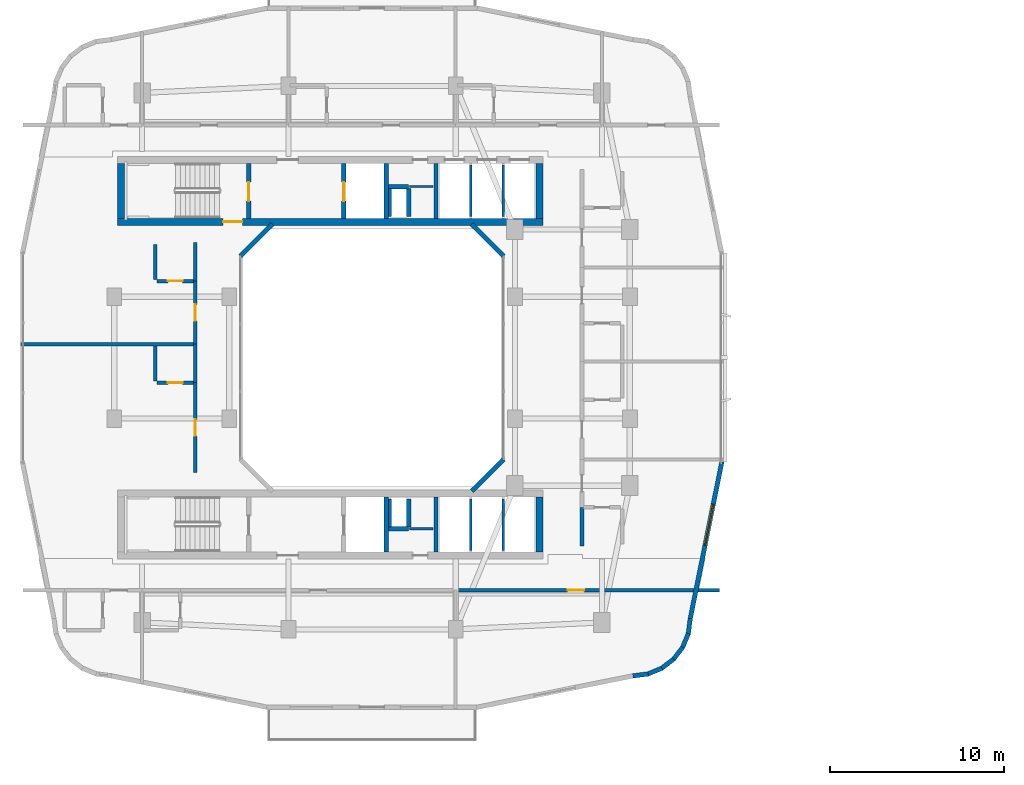
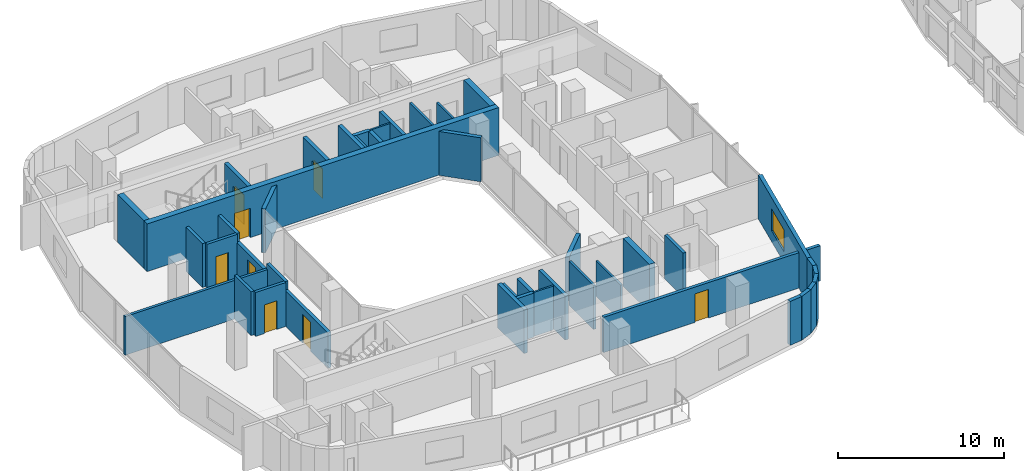
# One storey, part 12 of 26: 43 walls, 8 doors, 1 window, 9 openings.
"""IFC4 building model written with IfcOpenShell, lengths in metres."""

from ifc_helpers import new_model, si_unit, derived_unit, direction, frame, frame_2d, origin, place, context, subcontext, project, spatial, rectangle, extrude, material, layer, layer_set, type_object, element, fill, save


model = new_model("IFC4")

# Units and contexts
model_context = context("Model", 3, precision=1e-05, world=origin(), true_north=direction((0.0, 1.0)))
body_context = subcontext(model_context, "Body", "Model", "MODEL_VIEW")
ifc_project = project(units=[si_unit("LENGTHUNIT", "METRE"), si_unit("AREAUNIT", "SQUARE_METRE"), si_unit("VOLUMEUNIT", "CUBIC_METRE"), si_unit("PLANEANGLEUNIT", "RADIAN"), si_unit("MASSUNIT", "GRAM", prefix="KILO"), derived_unit("THERMALTRANSMITTANCEUNIT", [(si_unit("POWERUNIT", "WATT"), 1), (si_unit("LENGTHUNIT", "METRE"), -2), (si_unit("THERMODYNAMICTEMPERATUREUNIT", "KELVIN"), -1)])], contexts=[model_context])

# Site, building, storey
site_placement = place(None, origin())
site = spatial("IfcSite", under=ifc_project, at=site_placement, CompositionType="ELEMENT")
building_placement = place(site_placement, origin())
building = spatial("IfcBuilding", under=site, at=building_placement, Name="Kivonza Crest Hotel", CompositionType="ELEMENT")
storey_placement = place(building_placement, frame((0.0, 0.0, 95.0)))
storey = spatial("IfcBuildingStorey", under=building, at=storey_placement, Name="L25", CompositionType="ELEMENT", Elevation=95.0)

# Wall
ifc_material_1 = material(Name="High-density acoustic masonry inter-tenancy wall", Category="masonry")
ifc_layer_1 = layer(ifc_material_1, 0.179931640625)
ifc_layer_set_1 = layer_set([ifc_layer_1], Name="High-density acoustic masonry inter-tenancy wall")
wall_type_1 = type_object("IfcWallType", Name="WL-ACOU-180", PredefinedType="SOLIDWALL", material=ifc_layer_set_1)
wall_1_placement = place(storey_placement, frame((0.860107421875, 25.77001953125, 0.0), z_axis=(0.0, 0.0, 1.0), x_axis=(1.0, 0.0, 0.0)))
element("IfcWall", 1, at=wall_1_placement, inside=storey, type_object=wall_type_1, Name="L25 interior partition WA-L25-T1W-DIV1", PredefinedType="SOLIDWALL", context=body_context, shape_type="SweptSolid", body=[
    extrude(rectangle(XDim=9.989990234375, YDim=0.179931640625, at=frame_2d((4.9951171875, 0.0))), origin(), (0.0, 0.0, 1.0), 2.8349609375),
])

# Wall, opening, door
ifc_material_2 = material(Name="Autoclaved aerated concrete blockwork", Category="masonry")
ifc_layer_2 = layer(ifc_material_2, 0.219970703125)
ifc_layer_set_2 = layer_set([ifc_layer_2], Name="Autoclaved aerated concrete blockwork")
wall_type_2 = type_object("IfcWallType", Name="WL-ACOU-220", PredefinedType="SOLIDWALL", material=ifc_layer_set_2)
wall_2_placement = place(storey_placement, frame((25.89990234375, 11.64990234375, 0.0), z_axis=(0.0, 0.0, 1.0), x_axis=(1.0, 0.0, 0.0)))
wall_2 = element("IfcWall", 2, at=wall_2_placement, inside=storey, type_object=wall_type_2, Name="L25 interior partition WA-L25-BUS-MTG-N", PredefinedType="SOLIDWALL", context=body_context, shape_type="SweptSolid", body=[
    extrude(rectangle(XDim=15.0400390625, YDim=0.219970703125, at=frame_2d((7.52001953125, 0.0))), origin(), (0.0, 0.0, 1.0), 2.594970703125),
])
opening_1_placement = place(wall_2_placement, frame((6.330078125, 0.0, 0.0)))
opening_1 = element("IfcOpeningElement", 3, at=opening_1_placement, cuts=wall_2, Name="Opening DF-60S", PredefinedType="OPENING", context=body_context, shape_type="SweptSolid", body=[
    extrude(rectangle(XDim=0.949951171875, YDim=2.10009765625, at=frame_2d((0.47509765625, 1.050048828125))), frame((0.0, 0.1201171875, 0.0), z_axis=(0.0, -1.0, 0.0), x_axis=(1.0, 0.0, 0.0)), (0.0, 0.0, 1.0), 0.239990234375),
])
ifc_material_3 = material(Name="Hardwood timber oak", Category="wood")
door_type_1 = type_object("IfcDoorType", Name="DR-FD60-950", OperationType="NOTDEFINED", PredefinedType="DOOR", material=ifc_material_3)
door_1_placement = place(opening_1_placement, frame((0.949951171875, 0.0, 0.0), z_axis=(0.0, 0.0, 1.0), x_axis=(-1.0, 0.0, 0.0)))
door_1 = element("IfcDoor", 4, at=door_1_placement, inside=storey, type_object=door_type_1, Name="L25 Executive Club Lounge door", OperationType="SINGLE_SWING_RIGHT", OverallHeight=2.10009765625, OverallWidth=0.949951171875, PredefinedType="DOOR", context=body_context, shape_type="SweptSolid", body=[
    extrude(rectangle(XDim=0.949951171875, YDim=2.10009765625, at=frame_2d((0.47509765625, 1.050048828125))), frame((0.0, 0.02490234375, 0.0), z_axis=(0.0, -1.0, 0.0), x_axis=(1.0, 0.0, 0.0)), (0.0, 0.0, 1.0), 0.050048828125),
])
fill(opening_1, door_1)

# Wall
wall_3_placement = place(storey_placement, frame((10.85009765625, 23.570068359375, 0.0), z_axis=(0.0, 0.0, 1.0), x_axis=(0.0, 1.0, 0.0)))
element("IfcWall", 5, at=wall_3_placement, inside=storey, type_object=wall_type_2, Name="L25 interior partition WA-L25-W06-BCORR", PredefinedType="SOLIDWALL", context=body_context, shape_type="SweptSolid", body=[
    extrude(rectangle(XDim=2.199951171875, YDim=0.219970703125, at=frame_2d((1.10009765625, 0.0))), origin(), (0.0, 0.0, 1.0), 3.219970703125),
])

# Wall, opening, door
wall_4_placement = place(storey_placement, frame((10.85009765625, 18.39990234375, 0.0), z_axis=(0.0, 0.0, 1.0), x_axis=(0.0, 1.0, 0.0)))
wall_4 = element("IfcWall", 6, at=wall_4_placement, inside=storey, type_object=wall_type_2, Name="L25 interior partition WA-L25-W06-MCORR", PredefinedType="SOLIDWALL", context=body_context, shape_type="SweptSolid", body=[
    extrude(rectangle(XDim=5.170166015625, YDim=0.219970703125, at=frame_2d((2.5849609375, 0.0))), origin(), (0.0, 0.0, 1.0), 2.594970703125),
])
opening_2_placement = place(wall_4_placement, frame((2.110107421875, 0.0, 0.0)))
opening_2 = element("IfcOpeningElement", 7, at=opening_2_placement, cuts=wall_4, Name="Opening DU-60", PredefinedType="OPENING", context=body_context, shape_type="SweptSolid", body=[
    extrude(rectangle(XDim=0.949951171875, YDim=2.10009765625, at=frame_2d((0.47509765625, 1.050048828125))), frame((0.0, 0.1201171875, 0.0), z_axis=(0.0, -1.0, 0.0), x_axis=(1.0, 0.0, 0.0)), (0.0, 0.0, 1.0), 0.239990234375),
])
door_type_2 = type_object("IfcDoorType", Name="DR-UNIT-950", OperationType="NOTDEFINED", PredefinedType="DOOR", material=ifc_material_3)
door_2_placement = place(opening_2_placement, origin())
door_2 = element("IfcDoor", 8, at=door_2_placement, inside=storey, type_object=door_type_2, Name="L25 W06 guest unit entrance fire door", OperationType="SINGLE_SWING_RIGHT", OverallHeight=2.10009765625, OverallWidth=0.949951171875, PredefinedType="DOOR", context=body_context, shape_type="SweptSolid", body=[
    extrude(rectangle(XDim=0.949951171875, YDim=2.10009765625, at=frame_2d((0.47509765625, 1.050048828125))), frame((0.0, 0.02490234375, 0.0), z_axis=(0.0, -1.0, 0.0), x_axis=(1.0, 0.0, 0.0)), (0.0, 0.0, 1.0), 0.050048828125),
])
fill(opening_2, door_2)

# Wall
wall_5_placement = place(storey_placement, frame((10.85009765625, 29.39990234375, 0.0), z_axis=(0.0, 0.0, 1.0), x_axis=(0.0, 1.0, 0.0)))
element("IfcWall", 9, at=wall_5_placement, inside=storey, type_object=wall_type_2, Name="L25 interior partition WA-L25-W07-BCORR", PredefinedType="SOLIDWALL", context=body_context, shape_type="SweptSolid", body=[
    extrude(rectangle(XDim=2.2001953125, YDim=0.219970703125, at=frame_2d((1.10009765625, 0.0))), origin(), (0.0, 0.0, 1.0), 3.219970703125),
])

# Wall, opening, door
wall_6_placement = place(storey_placement, frame((10.85009765625, 25.77001953125, 0.0), z_axis=(0.0, 0.0, 1.0), x_axis=(0.0, 1.0, 0.0)))
wall_6 = element("IfcWall", 10, at=wall_6_placement, inside=storey, type_object=wall_type_2, Name="L25 interior partition WA-L25-W07-MCORR", PredefinedType="SOLIDWALL", context=body_context, shape_type="SweptSolid", body=[
    extrude(rectangle(XDim=3.6298828125, YDim=0.219970703125, at=frame_2d((1.81494140625, 0.0))), origin(), (0.0, 0.0, 1.0), 2.594970703125),
])
opening_3_placement = place(wall_6_placement, frame((1.340087890625, 0.0, 0.0)))
opening_3 = element("IfcOpeningElement", 11, at=opening_3_placement, cuts=wall_6, Name="Opening DU-60", PredefinedType="OPENING", context=body_context, shape_type="SweptSolid", body=[
    extrude(rectangle(XDim=0.949951171875, YDim=2.10009765625, at=frame_2d((0.47509765625, 1.050048828125))), frame((0.0, 0.1201171875, 0.0), z_axis=(0.0, -1.0, 0.0), x_axis=(1.0, 0.0, 0.0)), (0.0, 0.0, 1.0), 0.239990234375),
])
door_3_placement = place(opening_3_placement, origin())
door_3 = element("IfcDoor", 12, at=door_3_placement, inside=storey, type_object=door_type_2, Name="L25 W07 guest unit entrance fire door", OperationType="SINGLE_SWING_LEFT", OverallHeight=2.10009765625, OverallWidth=0.949951171875, PredefinedType="DOOR", context=body_context, shape_type="SweptSolid", body=[
    extrude(rectangle(XDim=0.949951171875, YDim=2.10009765625, at=frame_2d((0.47509765625, 1.050048828125))), frame((0.0, 0.02490234375, 0.0), z_axis=(0.0, -1.0, 0.0), x_axis=(1.0, 0.0, 0.0)), (0.0, 0.0, 1.0), 0.050048828125),
])
fill(opening_3, door_3)

# Wall
wall_7_placement = place(storey_placement, frame((33.050048828125, 14.199951171875, 0.0), z_axis=(0.0, 0.0, 1.0), x_axis=(0.0, 1.0, 0.0)))
element("IfcWall", 13, at=wall_7_placement, inside=storey, type_object=wall_type_2, Name="L25 interior partition WA-L25-E08-BCORR", PredefinedType="SOLIDWALL", context=body_context, shape_type="SweptSolid", body=[
    extrude(rectangle(XDim=2.199951171875, YDim=0.219970703125, at=frame_2d((1.10009765625, 0.0))), origin(), (0.0, 0.0, 1.0), 3.219970703125),
])

# Wall, opening, door
ifc_material_4 = material(Name="Concrete C50/60", Category="concrete")
ifc_layer_3 = layer(ifc_material_4, 0.39990234375)
ifc_layer_set_3 = layer_set([ifc_layer_3], Name="Concrete C50/60")
wall_type_3 = type_object("IfcWallType", Name="WL-CORE-400", PredefinedType="SHEAR", material=ifc_layer_set_3)
wall_8_placement = place(storey_placement, frame((6.39990234375, 32.800048828125, 0.0), z_axis=(0.0, 0.0, 1.0), x_axis=(1.0, 0.0, 0.0)))
wall_8 = element("IfcWall", 14, at=wall_8_placement, inside=storey, type_object=wall_type_3, Name="Core wall T1-N South L25", PredefinedType="SHEAR", context=body_context, shape_type="SweptSolid", body=[
    extrude(rectangle(XDim=24.400146484375, YDim=0.39990234375, at=frame_2d((12.2001953125, 0.0))), origin(), (0.0, 0.0, 1.0), 3.5),
])
opening_4_placement = place(wall_8_placement, frame((6.050048828125, 0.0, 0.0)))
opening_4 = element("IfcOpeningElement", 15, at=opening_4_placement, cuts=wall_8, Name="Opening DF-120", PredefinedType="OPENING", context=body_context, shape_type="SweptSolid", body=[
    extrude(rectangle(XDim=1.10009765625, YDim=2.14990234375, at=frame_2d((0.550048828125, 1.074951171875))), frame((0.0, 0.2099609375, 0.0), z_axis=(0.0, -1.0, 0.0), x_axis=(1.0, 0.0, 0.0)), (0.0, 0.0, 1.0), 0.419921875),
])
ifc_material_5 = material(Name="Galvanised steel", Category="steel")
door_type_3 = type_object("IfcDoorType", Name="DR-FD120-1100", OperationType="NOTDEFINED", PredefinedType="DOOR", material=ifc_material_5)
door_4_placement = place(opening_4_placement, origin())
door_4 = element("IfcDoor", 16, at=door_4_placement, inside=storey, type_object=door_type_3, Name="L25 West corridor stair access fire door", OperationType="SINGLE_SWING_LEFT", OverallHeight=2.14990234375, OverallWidth=1.10009765625, PredefinedType="DOOR", context=body_context, shape_type="SweptSolid", body=[
    extrude(rectangle(XDim=1.10009765625, YDim=2.14990234375, at=frame_2d((0.550048828125, 1.074951171875))), frame((0.0, 0.02490234375, 0.0), z_axis=(0.0, -1.0, 0.0), x_axis=(1.0, 0.0, 0.0)), (0.0, 0.0, 1.0), 0.050048828125),
])
fill(opening_4, door_4)

# Walls
for number, where, z_axis, x_axis, name in (
    (17, (6.60009765625, 33.0, 0.0), (0.0, 0.0, 1.0), (0.0, 1.0, 0.0), "Core wall T1-N West L25"),
    (18, (30.60009765625, 33.0, 0.0), (0.0, 0.0, 1.0), (0.0, 1.0, 0.0), "Core wall T1-N East L25"),
    (19, (30.60009765625, 13.840087890625, 0.0), (0.0, 0.0, 1.0), (0.0, 1.0, 0.0), "Core wall T1-S East L25"),
):
    element("IfcWall", number, at=place(storey_placement, frame(where, z_axis=z_axis, x_axis=x_axis)), inside=storey, type_object=wall_type_3, Name=name, PredefinedType="SHEAR", context=body_context, shape_type="SweptSolid", body=[
        extrude(rectangle(XDim=3.159912109375, YDim=0.39990234375, at=frame_2d((1.580078125, 0.0))), origin(), (0.0, 0.0, 1.0), 3.5),
    ])
ifc_material_6 = material(Name="Precast concrete C40/50", Category="concrete")
ifc_layer_4 = layer(ifc_material_6, 0.260009765625)
ifc_layer_set_4 = layer_set([ifc_layer_4], Name="Precast concrete C40/50")
wall_type_4 = type_object("IfcWallType", Name="WL-EXT-260", PredefinedType="STANDARD", material=ifc_layer_set_4)
wall_9_placement = place(storey_placement, frame((35.97509765625, 6.72802734375, 0.0), z_axis=(0.0, 0.0, 1.0), x_axis=(0.991388484223, 0.130953706898, 0.0)))
element("IfcWall", 20, at=wall_9_placement, inside=storey, type_object=wall_type_4, Name="L25 T1 exterior insulated wall 10", PredefinedType="STANDARD", context=body_context, shape_type="SweptSolid", body=[
    extrude(rectangle(XDim=0.885498046875, YDim=0.260009765625, at=frame_2d((0.44287109375, 0.0))), origin(), (0.0, 0.0, 1.0), 3.219970703125),
])
wall_10_placement = place(storey_placement, frame((36.806884765625, 6.825927734375, 0.0), z_axis=(0.0, 0.0, 1.0), x_axis=(0.923627776508, 0.383290660547, 0.0)))
element("IfcWall", 21, at=wall_10_placement, inside=storey, type_object=wall_type_4, Name="L25 T1 exterior insulated wall 11", PredefinedType="STANDARD", context=body_context, shape_type="SweptSolid", body=[
    extrude(rectangle(XDim=0.9033203125, YDim=0.260009765625, at=frame_2d((0.45166015625, 0.0))), origin(), (0.0, 0.0, 1.0), 3.219970703125),
])
wall_11_placement = place(storey_placement, frame((37.60107421875, 7.14404296875, 0.0), z_axis=(0.0, 0.0, 1.0), x_axis=(0.793458244748, 0.608624690463, 0.0)))
element("IfcWall", 22, at=wall_11_placement, inside=storey, type_object=wall_type_4, Name="L25 T1 exterior insulated wall 12", PredefinedType="STANDARD", context=body_context, shape_type="SweptSolid", body=[
    extrude(rectangle(XDim=0.902099609375, YDim=0.260009765625, at=frame_2d((0.451171875, 0.0))), origin(), (0.0, 0.0, 1.0), 3.219970703125),
])
wall_12_placement = place(storey_placement, frame((38.285888671875, 7.655029296875, 0.0), z_axis=(0.0, 0.0, 1.0), x_axis=(0.608494022858, 0.793558456666, 0.0)))
element("IfcWall", 23, at=wall_12_placement, inside=storey, type_object=wall_type_4, Name="L25 T1 exterior insulated wall 13", PredefinedType="STANDARD", context=body_context, shape_type="SweptSolid", body=[
    extrude(rectangle(XDim=0.90234375, YDim=0.260009765625, at=frame_2d((0.451171875, 0.0))), origin(), (0.0, 0.0, 1.0), 3.219970703125),
])
wall_13_placement = place(storey_placement, frame((38.81396484375, 8.326904296875, 0.0), z_axis=(0.0, 0.0, 1.0), x_axis=(0.383155708213, 0.923683767999, 0.0)))
element("IfcWall", 24, at=wall_13_placement, inside=storey, type_object=wall_type_4, Name="L25 T1 exterior insulated wall 14", PredefinedType="STANDARD", context=body_context, shape_type="SweptSolid", body=[
    extrude(rectangle(XDim=0.90283203125, YDim=0.260009765625, at=frame_2d((0.451416015625, 0.0))), origin(), (0.0, 0.0, 1.0), 3.219970703125),
])
wall_14_placement = place(storey_placement, frame((39.152099609375, 9.112060546875, 0.0), z_axis=(0.0, 0.0, 1.0), x_axis=(0.130200706103, 0.991487658083, 0.0)))
element("IfcWall", 25, at=wall_14_placement, inside=storey, type_object=wall_type_4, Name="L25 T1 exterior insulated wall 15", PredefinedType="STANDARD", context=body_context, shape_type="SweptSolid", body=[
    extrude(rectangle(XDim=0.920654296875, YDim=0.260009765625, at=frame_2d((0.46044921875, 0.0))), origin(), (0.0, 0.0, 1.0), 3.219970703125),
])

# Wall, opening, window
wall_15_placement = place(storey_placement, frame((39.27099609375, 10.01806640625, 0.0), z_axis=(0.0, 0.0, 1.0), x_axis=(0.197435082048, 0.980315963543, 0.0)))
wall_15 = element("IfcWall", 26, at=wall_15_placement, inside=storey, type_object=wall_type_4, Name="L25 T1 exterior insulated wall 16", PredefinedType="STANDARD", context=body_context, shape_type="SweptSolid", body=[
    extrude(rectangle(XDim=9.1826171875, YDim=0.260009765625, at=frame_2d((4.59130859375, 0.0))), origin(), (0.0, 0.0, 1.0), 3.219970703125),
])
opening_5_placement = place(wall_15_placement, frame((4.285888671875, 0.0, 0.800048828125)))
opening_5 = element("IfcOpeningElement", 27, at=opening_5_placement, cuts=wall_15, Name="Opening WN-05", PredefinedType="OPENING", context=body_context, shape_type="SweptSolid", body=[
    extrude(rectangle(XDim=2.39990234375, YDim=1.60009765625, at=frame_2d((1.199951171875, 0.800048828125))), frame((0.0, 0.14013671875, 0.0), z_axis=(0.0, -1.0, 0.0), x_axis=(1.0, 0.0, 0.0)), (0.0, 0.0, 1.0), 0.280029296875),
])
ifc_material_7 = material(Name="Thermally broken bronze aluminium and low-E double glazing", Category="aluminium")
window_type = type_object("IfcWindowType", Name="WN-240x160", PartitioningType="TRIPLE_PANEL_VERTICAL", PredefinedType="WINDOW", material=ifc_material_7)
window_placement = place(opening_5_placement, origin())
window = element("IfcWindow", 28, at=window_placement, inside=storey, type_object=window_type, Name="L25 T1 facade window 16", OverallHeight=1.60009765625, OverallWidth=2.39990234375, PartitioningType="SINGLE_PANEL", PredefinedType="WINDOW", context=body_context, shape_type="SweptSolid", body=[
    extrude(rectangle(XDim=2.39990234375, YDim=1.60009765625, at=frame_2d((1.199951171875, 0.800048828125))), frame((0.0, 0.030029296875, 0.0), z_axis=(0.0, -1.0, 0.0), x_axis=(1.0, 0.0, 0.0)), (0.0, 0.0, 1.0), 0.06005859375),
])
fill(opening_5, window)

# Walls
for number, where, z_axis, x_axis, name in (
    (29, (26.721923828125, 17.337890625, 0.0), (0.0, 0.0, 1.0), (0.707059717605, 0.707153841636, 0.0), "L25 T1 light-well exterior wall 2"),
    (30, (28.555908203125, 30.827880859375, 0.0), (0.0, 0.0, 1.0), (-0.707059717605, 0.707153841636, 0.0), "L25 T1 light-well exterior wall 4"),
    (31, (15.278076171875, 32.662109375, 0.0), (0.0, 0.0, 1.0), (-0.707059717605, -0.707153841636, 0.0), "L25 T1 light-well exterior wall 6"),
):
    element("IfcWall", number, at=place(storey_placement, frame(where, z_axis=z_axis, x_axis=x_axis)), inside=storey, type_object=wall_type_4, Name=name, PredefinedType="STANDARD", context=body_context, shape_type="SweptSolid", body=[
        extrude(rectangle(XDim=2.59375, YDim=0.260009765625, at=frame_2d((1.296875, 0.0))), origin(), (0.0, 0.0, 1.0), 3.219970703125),
    ])
ifc_material_8 = material(Name="Concrete blockwork fire-compartment wall", Category="masonry")
ifc_layer_5 = layer(ifc_material_8, 0.25)
ifc_layer_set_5 = layer_set([ifc_layer_5], Name="Concrete blockwork fire-compartment wall")
wall_type_5 = type_object("IfcWallType", Name="WL-FIRE-250", PredefinedType="SOLIDWALL", material=ifc_layer_set_5)
wall_16_placement = place(storey_placement, frame((23.10009765625, 33.10009765625, 0.0), z_axis=(0.0, 0.0, 1.0), x_axis=(0.0, 1.0, 0.0)))
element("IfcWall", 32, at=wall_16_placement, inside=storey, type_object=wall_type_5, Name="L25 interior partition WA-L25-T1-N-MEPR-E", PredefinedType="SOLIDWALL", context=body_context, shape_type="SweptSolid", body=[
    extrude(rectangle(XDim=1.619873046875, YDim=0.25, at=frame_2d((0.81005859375, 0.0))), origin(), (0.0, 0.0, 1.0), 3.219970703125),
])
wall_17_placement = place(storey_placement, frame((21.949951171875, 34.820068359375, 0.0), z_axis=(0.0, 0.0, 1.0), x_axis=(1.0, 0.0, 0.0)))
element("IfcWall", 33, at=wall_17_placement, inside=storey, type_object=wall_type_5, Name="L25 interior partition WA-L25-T1-N-MEPR-H", PredefinedType="SOLIDWALL", context=body_context, shape_type="SweptSolid", body=[
    extrude(rectangle(XDim=1.150146484375, YDim=0.25, at=frame_2d((0.5751953125, 0.0))), origin(), (0.0, 0.0, 1.0), 3.219970703125),
])
wall_18_placement = place(storey_placement, frame((23.10009765625, 15.280029296875, 0.0), z_axis=(0.0, 0.0, 1.0), x_axis=(0.0, 1.0, 0.0)))
element("IfcWall", 34, at=wall_18_placement, inside=storey, type_object=wall_type_5, Name="L25 interior partition WA-L25-T1-S-MEPR-E", PredefinedType="SOLIDWALL", context=body_context, shape_type="SweptSolid", body=[
    extrude(rectangle(XDim=1.619873046875, YDim=0.25, at=frame_2d((0.81005859375, 0.0))), origin(), (0.0, 0.0, 1.0), 3.219970703125),
])
wall_19_placement = place(storey_placement, frame((21.949951171875, 15.179931640625, 0.0), z_axis=(0.0, 0.0, 1.0), x_axis=(1.0, 0.0, 0.0)))
element("IfcWall", 35, at=wall_19_placement, inside=storey, type_object=wall_type_5, Name="L25 interior partition WA-L25-T1-S-MEPR-H", PredefinedType="SOLIDWALL", context=body_context, shape_type="SweptSolid", body=[
    extrude(rectangle(XDim=1.150146484375, YDim=0.25, at=frame_2d((0.5751953125, 0.0))), origin(), (0.0, 0.0, 1.0), 3.219970703125),
])
ifc_material_9 = material(Name="Metal-stud gypsum board partition", Category="gypsum")
ifc_layer_6 = layer(ifc_material_9, 0.125)
ifc_layer_set_6 = layer_set([ifc_layer_6], Name="Metal-stud gypsum board partition")
wall_type_6 = type_object("IfcWallType", Name="WL-PART-125", PredefinedType="PARTITIONING", material=ifc_layer_set_6)
for number, where, z_axis, x_axis, name in (
    (36, (23.14990234375, 34.820068359375, 0.0), (0.0, 0.0, 1.0), (1.0, 0.0, 0.0), "L25 interior partition WP-L25-T1-N-SV2H"),
    (37, (23.14990234375, 15.179931640625, 0.0), (0.0, 0.0, 1.0), (1.0, 0.0, 0.0), "L25 interior partition WP-L25-T1-S-SV2H"),
):
    element("IfcWall", number, at=place(storey_placement, frame(where, z_axis=z_axis, x_axis=x_axis)), inside=storey, type_object=wall_type_6, Name=name, PredefinedType="PARTITIONING", context=body_context, shape_type="SweptSolid", body=[
        extrude(rectangle(XDim=1.35009765625, YDim=0.125, at=frame_2d((0.675048828125, 0.0))), origin(), (0.0, 0.0, 1.0), 3.219970703125),
    ])
ifc_material_10 = material(Name="Twin-stud acoustic gypsum board partition", Category="gypsum")
ifc_layer_7 = layer(ifc_material_10, 0.14990234375)
ifc_layer_set_7 = layer_set([ifc_layer_7], Name="Twin-stud acoustic gypsum board partition")
wall_type_7 = type_object("IfcWallType", Name="WL-PART-150", PredefinedType="PARTITIONING", material=ifc_layer_set_7)
wall_20_placement = place(storey_placement, frame((22.030029296875, 33.10009765625, 0.0), z_axis=(0.0, 0.0, 1.0), x_axis=(0.0, 1.0, 0.0)))
element("IfcWall", 38, at=wall_20_placement, inside=storey, type_object=wall_type_7, Name="L25 interior partition WA-L25-T1-N-MEPR-W", PredefinedType="PARTITIONING", context=body_context, shape_type="SweptSolid", body=[
    extrude(rectangle(XDim=1.619873046875, YDim=0.14990234375, at=frame_2d((0.81005859375, 0.0))), origin(), (0.0, 0.0, 1.0), 3.219970703125),
])
wall_21_placement = place(storey_placement, frame((26.6669921875, 33.10009765625, 0.0), z_axis=(0.0, 0.0, 1.0), x_axis=(0.0, 1.0, 0.0)))
element("IfcWall", 39, at=wall_21_placement, inside=storey, type_object=wall_type_7, Name="L25 interior partition WP-L25-T1-N-BSH-1", PredefinedType="PARTITIONING", context=body_context, shape_type="SweptSolid", body=[
    extrude(rectangle(XDim=2.9599609375, YDim=0.14990234375, at=frame_2d((1.47998046875, 0.0))), origin(), (0.0, 0.0, 1.0), 3.219970703125),
])
wall_22_placement = place(storey_placement, frame((28.532958984375, 33.10009765625, 0.0), z_axis=(0.0, 0.0, 1.0), x_axis=(0.0, 1.0, 0.0)))
element("IfcWall", 40, at=wall_22_placement, inside=storey, type_object=wall_type_7, Name="L25 interior partition WP-L25-T1-N-BSH-2", PredefinedType="PARTITIONING", context=body_context, shape_type="SweptSolid", body=[
    extrude(rectangle(XDim=2.9599609375, YDim=0.14990234375, at=frame_2d((1.47998046875, 0.0))), origin(), (0.0, 0.0, 1.0), 2.594970703125),
])
wall_23_placement = place(storey_placement, frame((22.030029296875, 15.280029296875, 0.0), z_axis=(0.0, 0.0, 1.0), x_axis=(0.0, 1.0, 0.0)))
element("IfcWall", 41, at=wall_23_placement, inside=storey, type_object=wall_type_7, Name="L25 interior partition WA-L25-T1-S-MEPR-W", PredefinedType="PARTITIONING", context=body_context, shape_type="SweptSolid", body=[
    extrude(rectangle(XDim=1.619873046875, YDim=0.14990234375, at=frame_2d((0.81005859375, 0.0))), origin(), (0.0, 0.0, 1.0), 3.219970703125),
])
wall_24_placement = place(storey_placement, frame((26.6669921875, 13.93994140625, 0.0), z_axis=(0.0, 0.0, 1.0), x_axis=(0.0, 1.0, 0.0)))
element("IfcWall", 42, at=wall_24_placement, inside=storey, type_object=wall_type_7, Name="L25 interior partition WP-L25-T1-S-BSH-1", PredefinedType="PARTITIONING", context=body_context, shape_type="SweptSolid", body=[
    extrude(rectangle(XDim=2.9599609375, YDim=0.14990234375, at=frame_2d((1.47998046875, 0.0))), origin(), (0.0, 0.0, 1.0), 3.219970703125),
])
wall_25_placement = place(storey_placement, frame((28.532958984375, 13.93994140625, 0.0), z_axis=(0.0, 0.0, 1.0), x_axis=(0.0, 1.0, 0.0)))
element("IfcWall", 43, at=wall_25_placement, inside=storey, type_object=wall_type_7, Name="L25 interior partition WP-L25-T1-S-BSH-2", PredefinedType="PARTITIONING", context=body_context, shape_type="SweptSolid", body=[
    extrude(rectangle(XDim=2.9599609375, YDim=0.14990234375, at=frame_2d((1.47998046875, 0.0))), origin(), (0.0, 0.0, 1.0), 2.594970703125),
])

# Wall, opening, door
ifc_material_11 = material(Name="Moisture-resistant plumbing chase partition wall", Category="gypsum")
ifc_layer_8 = layer(ifc_material_11, 0.199951171875)
ifc_layer_set_8 = layer_set([ifc_layer_8], Name="Moisture-resistant plumbing chase partition wall")
wall_type_8 = type_object("IfcWallType", Name="WL-PLUMB-200", PredefinedType="PLUMBINGWALL", material=ifc_layer_set_8)
wall_26_placement = place(storey_placement, frame((8.64990234375, 23.570068359375, 0.0), z_axis=(0.0, 0.0, 1.0), x_axis=(1.0, 0.0, 0.0)))
wall_26 = element("IfcWall", 44, at=wall_26_placement, inside=storey, type_object=wall_type_8, Name="L25 interior partition WW-L25-W06-BH", PredefinedType="PLUMBINGWALL", context=body_context, shape_type="SweptSolid", body=[
    extrude(rectangle(XDim=2.10009765625, YDim=0.199951171875, at=frame_2d((1.050048828125, 0.0))), origin(), (0.0, 0.0, 1.0), 3.219970703125),
])
opening_6_placement = place(wall_26_placement, frame((0.625, 0.0, 0.0)))
opening_6 = element("IfcOpeningElement", 45, at=opening_6_placement, cuts=wall_26, Name="Opening DI-85", PredefinedType="OPENING", context=body_context, shape_type="SweptSolid", body=[
    extrude(rectangle(XDim=0.85009765625, YDim=2.10009765625, at=frame_2d((0.425048828125, 1.050048828125))), frame((0.0, 0.10986328125, 0.0), z_axis=(0.0, -1.0, 0.0), x_axis=(1.0, 0.0, 0.0)), (0.0, 0.0, 1.0), 0.219970703125),
])
door_type_4 = type_object("IfcDoorType", Name="DR-INT-850", OperationType="NOTDEFINED", PredefinedType="DOOR", material=ifc_material_3)
door_5_placement = place(opening_6_placement, frame((0.85009765625, 0.0, 0.0), z_axis=(0.0, 0.0, 1.0), x_axis=(-1.0, 0.0, 0.0)))
door_5 = element("IfcDoor", 46, at=door_5_placement, inside=storey, type_object=door_type_4, Name="L25 W06 en-suite bathroom door", OperationType="SINGLE_SWING_LEFT", OverallHeight=2.10009765625, OverallWidth=0.85009765625, PredefinedType="DOOR", context=body_context, shape_type="SweptSolid", body=[
    extrude(rectangle(XDim=0.85009765625, YDim=2.10009765625, at=frame_2d((0.425048828125, 1.050048828125))), frame((0.0, 0.02490234375, 0.0), z_axis=(0.0, -1.0, 0.0), x_axis=(1.0, 0.0, 0.0)), (0.0, 0.0, 1.0), 0.050048828125),
])
fill(opening_6, door_5)

# Wall
wall_27_placement = place(storey_placement, frame((8.550048828125, 23.669921875, 0.0), z_axis=(0.0, 0.0, 1.0), x_axis=(0.0, 1.0, 0.0)))
element("IfcWall", 47, at=wall_27_placement, inside=storey, type_object=wall_type_8, Name="L25 interior partition WW-L25-W06-BV", PredefinedType="PLUMBINGWALL", context=body_context, shape_type="SweptSolid", body=[
    extrude(rectangle(XDim=2.0, YDim=0.199951171875, at=frame_2d((1.0, 0.0))), origin(), (0.0, 0.0, 1.0), 3.219970703125),
])

# Wall, opening, door
wall_28_placement = place(storey_placement, frame((8.64990234375, 29.39990234375, 0.0), z_axis=(0.0, 0.0, 1.0), x_axis=(1.0, 0.0, 0.0)))
wall_28 = element("IfcWall", 48, at=wall_28_placement, inside=storey, type_object=wall_type_8, Name="L25 interior partition WW-L25-W07-BH", PredefinedType="PLUMBINGWALL", context=body_context, shape_type="SweptSolid", body=[
    extrude(rectangle(XDim=2.10009765625, YDim=0.199951171875, at=frame_2d((1.050048828125, 0.0))), origin(), (0.0, 0.0, 1.0), 3.219970703125),
])
opening_7_placement = place(wall_28_placement, frame((0.625, 0.0, 0.0)))
opening_7 = element("IfcOpeningElement", 49, at=opening_7_placement, cuts=wall_28, Name="Opening DI-85", PredefinedType="OPENING", context=body_context, shape_type="SweptSolid", body=[
    extrude(rectangle(XDim=0.85009765625, YDim=2.10009765625, at=frame_2d((0.425048828125, 1.050048828125))), frame((0.0, 0.10986328125, 0.0), z_axis=(0.0, -1.0, 0.0), x_axis=(1.0, 0.0, 0.0)), (0.0, 0.0, 1.0), 0.219970703125),
])
door_6_placement = place(opening_7_placement, frame((0.85009765625, 0.0, 0.0), z_axis=(0.0, 0.0, 1.0), x_axis=(-1.0, 0.0, 0.0)))
door_6 = element("IfcDoor", 50, at=door_6_placement, inside=storey, type_object=door_type_4, Name="L25 W07 en-suite bathroom door", OperationType="SINGLE_SWING_RIGHT", OverallHeight=2.10009765625, OverallWidth=0.85009765625, PredefinedType="DOOR", context=body_context, shape_type="SweptSolid", body=[
    extrude(rectangle(XDim=0.85009765625, YDim=2.10009765625, at=frame_2d((0.425048828125, 1.050048828125))), frame((0.0, 0.02490234375, 0.0), z_axis=(0.0, -1.0, 0.0), x_axis=(1.0, 0.0, 0.0)), (0.0, 0.0, 1.0), 0.050048828125),
])
fill(opening_7, door_6)

# Wall
wall_29_placement = place(storey_placement, frame((8.550048828125, 29.5, 0.0), z_axis=(0.0, 0.0, 1.0), x_axis=(0.0, 1.0, 0.0)))
element("IfcWall", 51, at=wall_29_placement, inside=storey, type_object=wall_type_8, Name="L25 interior partition WW-L25-W07-BV", PredefinedType="PLUMBINGWALL", context=body_context, shape_type="SweptSolid", body=[
    extrude(rectangle(XDim=2.0, YDim=0.199951171875, at=frame_2d((1.0, 0.0))), origin(), (0.0, 0.0, 1.0), 3.219970703125),
])

# Wall, opening, door
ifc_layer_9 = layer(ifc_material_4, 0.25)
ifc_layer_set_9 = layer_set([ifc_layer_9], Name="Concrete C50/60")
wall_type_9 = type_object("IfcWallType", Name="WL-SHAFT-250", PredefinedType="STANDARD", material=ifc_layer_set_9)
wall_30_placement = place(storey_placement, frame((13.925048828125, 33.0, 0.0), z_axis=(0.0, 0.0, 1.0), x_axis=(0.0, 1.0, 0.0)))
wall_30 = element("IfcWall", 52, at=wall_30_placement, inside=storey, type_object=wall_type_9, Name="Core shaft wall T1-N STAIR L25", PredefinedType="STANDARD", context=body_context, shape_type="SweptSolid", body=[
    extrude(rectangle(XDim=3.159912109375, YDim=0.25, at=frame_2d((1.580078125, 0.0))), origin(), (0.0, 0.0, 1.0), 3.219970703125),
])
opening_8_placement = place(wall_30_placement, frame((0.97998046875, 0.0, 0.0)))
opening_8 = element("IfcOpeningElement", 53, at=opening_8_placement, cuts=wall_30, Name="Opening DF-120", PredefinedType="OPENING", context=body_context, shape_type="SweptSolid", body=[
    extrude(rectangle(XDim=1.10009765625, YDim=2.14990234375, at=frame_2d((0.550048828125, 1.074951171875))), frame((0.0, 0.135009765625, 0.0), z_axis=(0.0, -1.0, 0.0), x_axis=(1.0, 0.0, 0.0)), (0.0, 0.0, 1.0), 0.27001953125),
])
door_7_placement = place(opening_8_placement, frame((1.10009765625, 0.0, 0.0), z_axis=(0.0, 0.0, 1.0), x_axis=(-1.0, 0.0, 0.0)))
door_7 = element("IfcDoor", 54, at=door_7_placement, inside=storey, type_object=door_type_3, Name="L25 T1-N stair fire door", OperationType="SINGLE_SWING_LEFT", OverallHeight=2.14990234375, OverallWidth=1.10009765625, PredefinedType="DOOR", context=body_context, shape_type="SweptSolid", body=[
    extrude(rectangle(XDim=1.10009765625, YDim=2.14990234375, at=frame_2d((0.550048828125, 1.074951171875))), frame((0.0, 0.02490234375, 0.0), z_axis=(0.0, -1.0, 0.0), x_axis=(1.0, 0.0, 0.0)), (0.0, 0.0, 1.0), 0.050048828125),
])
fill(opening_8, door_7)

wall_31_placement = place(storey_placement, frame((19.375, 33.0, 0.0), z_axis=(0.0, 0.0, 1.0), x_axis=(0.0, 1.0, 0.0)))
wall_31 = element("IfcWall", 55, at=wall_31_placement, inside=storey, type_object=wall_type_9, Name="Core shaft wall T1-N FFL-W L25", PredefinedType="STANDARD", context=body_context, shape_type="SweptSolid", body=[
    extrude(rectangle(XDim=3.159912109375, YDim=0.25, at=frame_2d((1.580078125, 0.0))), origin(), (0.0, 0.0, 1.0), 3.219970703125),
])
opening_9_placement = place(wall_31_placement, frame((0.97998046875, 0.0, 0.0)))
opening_9 = element("IfcOpeningElement", 56, at=opening_9_placement, cuts=wall_31, Name="Opening LD-120", PredefinedType="OPENING", context=body_context, shape_type="SweptSolid", body=[
    extrude(rectangle(XDim=1.10009765625, YDim=2.14990234375, at=frame_2d((0.550048828125, 1.074951171875))), frame((0.0, 0.135009765625, 0.0), z_axis=(0.0, -1.0, 0.0), x_axis=(1.0, 0.0, 0.0)), (0.0, 0.0, 1.0), 0.27001953125),
])
ifc_material_12 = material(Name="Stainless steel", Category="steel")
door_type_5 = type_object("IfcDoorType", Name="DR-LD120-1100", OperationType="NOTDEFINED", PredefinedType="DOOR", material=ifc_material_12)
door_8_placement = place(opening_9_placement, origin())
door_8 = element("IfcDoor", 57, at=door_8_placement, inside=storey, type_object=door_type_5, Name="L25 FFL-T1-N firefighting lift sliding landing door", OperationType="DOUBLE_DOOR_SLIDING", OverallHeight=2.14990234375, OverallWidth=1.10009765625, PredefinedType="DOOR", context=body_context, shape_type="SweptSolid", body=[
    extrude(rectangle(XDim=1.10009765625, YDim=2.14990234375, at=frame_2d((0.550048828125, 1.074951171875))), frame((0.0, 0.02490234375, 0.0), z_axis=(0.0, -1.0, 0.0), x_axis=(1.0, 0.0, 0.0)), (0.0, 0.0, 1.0), 0.050048828125),
])
fill(opening_9, door_8)

# Walls
for number, where, z_axis, x_axis, name in (
    (58, (21.824951171875, 33.0, 0.0), (0.0, 0.0, 1.0), (0.0, 1.0, 0.0), "Core shaft wall T1-N FFL-E L25"),
    (59, (24.675048828125, 33.0, 0.0), (0.0, 0.0, 1.0), (0.0, 1.0, 0.0), "Core shaft wall T1-N BANK-W L25"),
    (60, (21.824951171875, 13.840087890625, 0.0), (0.0, 0.0, 1.0), (0.0, 1.0, 0.0), "Core shaft wall T1-S FFL-E L25"),
    (61, (24.675048828125, 13.840087890625, 0.0), (0.0, 0.0, 1.0), (0.0, 1.0, 0.0), "Core shaft wall T1-S BANK-W L25"),
):
    element("IfcWall", number, at=place(storey_placement, frame(where, z_axis=z_axis, x_axis=x_axis)), inside=storey, type_object=wall_type_9, Name=name, PredefinedType="STANDARD", context=body_context, shape_type="SweptSolid", body=[
        extrude(rectangle(XDim=3.159912109375, YDim=0.25, at=frame_2d((1.580078125, 0.0))), origin(), (0.0, 0.0, 1.0), 3.219970703125),
    ])

save(model, "model.ifc")
